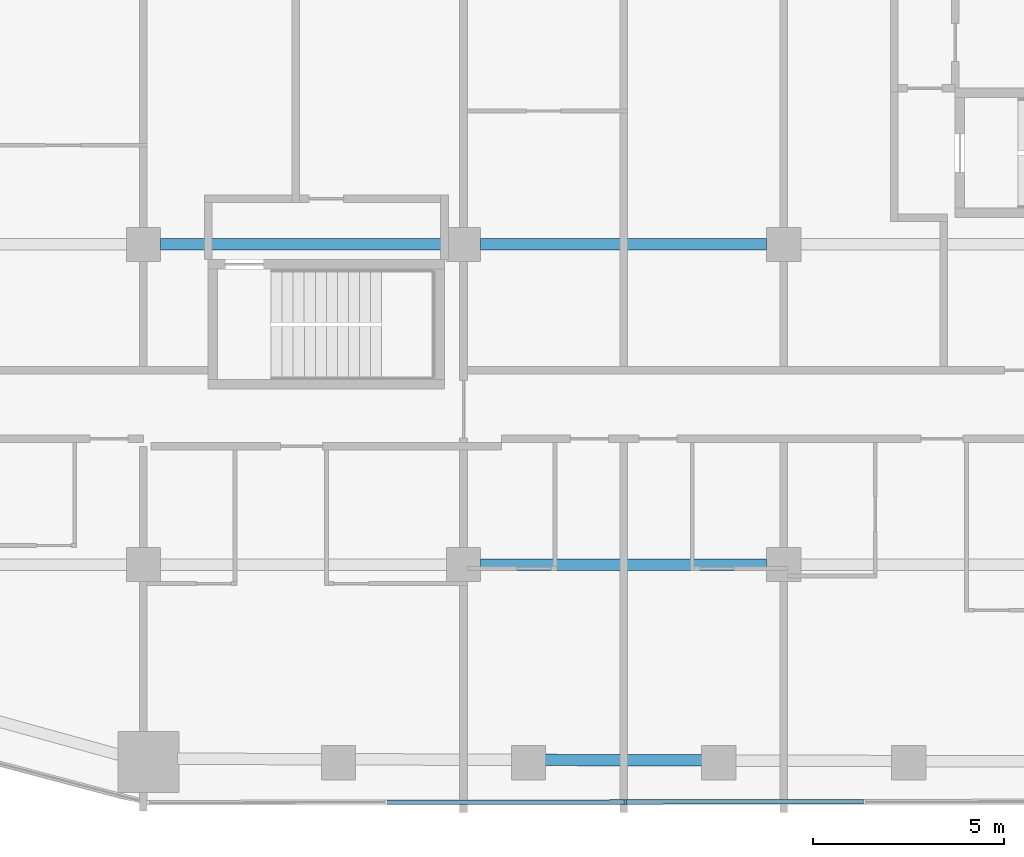
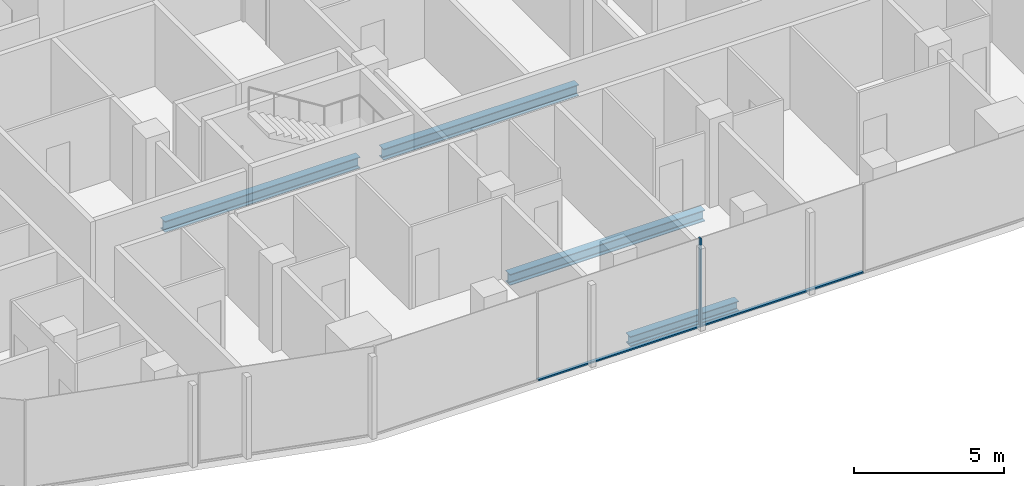
# One storey, part 3 of 23: 4 beams, 3 members, 1 element without a shape of its own.
"""IFC4 building model written with IfcOpenShell, lengths in metres."""

from ifc_helpers import new_model, si_unit, direction, frame, origin, origin_2d, place, context, subcontext, project, spatial, rectangle, i_section, extrude, material, layer, layer_set, material_profile, profile_set, type_object, element, aggregate, save


model = new_model("IFC4")

# Units and contexts
model_context = context("Model", 3, precision=1e-05, world=origin(), true_north=direction((0.0, 1.0)))
body_context = subcontext(model_context, "Body", "Model", "MODEL_VIEW")
ifc_project = project(units=[si_unit("LENGTHUNIT", "METRE"), si_unit("AREAUNIT", "SQUARE_METRE"), si_unit("VOLUMEUNIT", "CUBIC_METRE"), si_unit("PLANEANGLEUNIT", "RADIAN"), si_unit("MASSUNIT", "GRAM", prefix="KILO")], contexts=[model_context])

# Site, building, storey
site_placement = place(None, origin())
site = spatial("IfcSite", under=ifc_project, at=site_placement, CompositionType="ELEMENT")
building_placement = place(site_placement, origin())
building = spatial("IfcBuilding", under=site, at=building_placement, Name="Marenta Gate Hotel Tower", CompositionType="ELEMENT")
storey_placement = place(building_placement, frame((0.0, 0.0, 126.5)))
storey = spatial("IfcBuildingStorey", under=building, at=storey_placement, Name="L28", CompositionType="ELEMENT", Elevation=126.5)

# Beams
ifc_material_1 = material(Name="Steel S355", Category="steel")
ifc_material_profile_1 = material_profile(ifc_material_1, i_section(OverallWidth=0.300048828125, OverallDepth=0.39990234375, WebThickness=0.013427734375, FlangeThickness=0.02392578125, FilletRadius=0.027099609375, at=origin_2d()), Name="HEB 400")
ifc_profile_set_1 = profile_set([ifc_material_profile_1], Name="Steel S355")
beam_type_1 = type_object("IfcBeamType", Name="Edge beam HEB 400", PredefinedType="SPANDREL", material=ifc_profile_set_1)
beam_placement = place(storey_placement, frame((2.08349609375, -21.939453125, -0.4599609375), z_axis=(-0.999994808095, 0.003222387769, 0.0), x_axis=(-0.003222387769, -0.999994808095, 0.0)))
element("IfcBeam", 1, at=beam_placement, inside=storey, type_object=beam_type_1, Name="L28-EB-34", PredefinedType="SPANDREL", context=body_context, shape_type="SweptSolid", body=[
    extrude(i_section(OverallWidth=0.300048828125, OverallDepth=0.39990234375, WebThickness=0.013427734375, FlangeThickness=0.02392578125, FilletRadius=0.027099609375, at=origin_2d()), origin(), (0.0, 0.0, 1.0), 4.1669921875),
])
ifc_material_2 = material(Name="Steel S355", Category="steel")
ifc_material_profile_2 = material_profile(ifc_material_2, i_section(OverallWidth=0.300048828125, OverallDepth=0.449951171875, WebThickness=0.013916015625, FlangeThickness=0.02587890625, FilletRadius=0.027099609375, at=origin_2d()), Name="HEB 450")
ifc_profile_set_2 = profile_set([ifc_material_profile_2], Name="Steel S355")
beam_type_2 = type_object("IfcBeamType", Name="Girder HEB 450", PredefinedType="BEAM", material=ifc_profile_set_2)
for number, where, z_axis, x_axis, name in (
    (2, (-3.75, -16.800048828125, -0.485107421875), (1.0, 0.0, 0.0), (0.0, 1.0, 0.0), "L28-GD-4"),
    (3, (-12.14990234375, -8.39990234375, -0.485107421875), (1.0, 0.0, 0.0), (0.0, 1.0, 0.0), "L28-GD-10"),
    (4, (-3.75, -8.39990234375, -0.485107421875), (1.0, 0.0, 0.0), (0.0, 1.0, 0.0), "L28-GD-11"),
):
    element("IfcBeam", number, at=place(storey_placement, frame(where, z_axis=z_axis, x_axis=x_axis)), inside=storey, type_object=beam_type_2, Name=name, PredefinedType="BEAM", context=body_context, shape_type="SweptSolid", body=[
        extrude(i_section(OverallWidth=0.300048828125, OverallDepth=0.449951171875, WebThickness=0.013916015625, FlangeThickness=0.02587890625, FilletRadius=0.027099609375, at=origin_2d()), origin(), (0.0, 0.0, 1.0), 7.5),
    ])

# Curtain wall, members
ifc_material_3 = material(Name="Tinted insulated glass in bronze anodised frame", Category="glass")
ifc_layer = layer(ifc_material_3, 0.1201171875)
ifc_layer_set = layer_set([ifc_layer], Name="Tinted insulated glass in bronze anodised frame")
curtain_wall_type = type_object("IfcCurtainWallType", Name="Tower unitised curtain wall CW1", PredefinedType="NOTDEFINED", material=ifc_layer_set)
curtain_wall_placement = place(storey_placement, origin())
curtain_wall = element("IfcCurtainWall", 5, at=curtain_wall_placement, inside=storey, type_object=curtain_wall_type, Name="CW1 run G07", PredefinedType="NOTDEFINED")
ifc_material_4 = material(Name="Bronze anodised aluminium", Category="aluminium")
ifc_material_profile_3 = material_profile(ifc_material_4, rectangle(XDim=0.1201171875, YDim=0.06005859375, at=origin_2d()), Name="Mullion CW1 60x120 bronze anodised aluminium")
ifc_profile_set_3 = profile_set([ifc_material_profile_3], Name="Bronze anodised aluminium")
member_type_1 = type_object("IfcMemberType", Name="Mullion CW1 60x120 bronze anodised aluminium", PredefinedType="MULLION", material=ifc_profile_set_3)
member_1_placement = place(storey_placement, frame((0.0458984375, -23.030517578125, 0.0), z_axis=(0.0, 0.0, 1.0), x_axis=(-0.001362347707, 0.999999072004, 0.0)))
member_1 = element("IfcMember", 6, at=member_1_placement, type_object=member_type_1, Name="CW1 mullion 3", PredefinedType="MULLION", context=body_context, shape_type="SweptSolid", body=[
    extrude(rectangle(XDim=0.1201171875, YDim=0.06005859375, at=origin_2d()), origin(), (0.0, 0.0, 1.0), 3.60009765625),
])
ifc_material_5 = material(Name="Bronze anodised aluminium", Category="aluminium")
ifc_material_profile_4 = material_profile(ifc_material_5, rectangle(XDim=0.1201171875, YDim=0.06005859375, at=origin_2d()), Name="Transom CW1 60x120 bronze anodised aluminium")
ifc_profile_set_4 = profile_set([ifc_material_profile_4], Name="Bronze anodised aluminium")
member_type_2 = type_object("IfcMemberType", Name="Transom CW1 60x120 bronze anodised aluminium", PredefinedType="USERDEFINED", material=ifc_profile_set_4)
member_2_placement = place(storey_placement, frame((-6.199951171875, -23.038818359375, 0.030029296875), z_axis=(0.999999108317, 0.001335426932, 0.0), x_axis=(-0.001335426932, 0.999999108317, 0.0)))
member_2 = element("IfcMember", 7, at=member_2_placement, type_object=member_type_2, Name="CW1 transom 2.1", ObjectType="TRANSOM", PredefinedType="USERDEFINED", context=body_context, shape_type="SweptSolid", body=[
    extrude(rectangle(XDim=0.1201171875, YDim=0.06005859375, at=origin_2d()), origin(), (0.0, 0.0, 1.0), 6.2158203125),
])
member_3_placement = place(storey_placement, frame((0.075927734375, -23.0302734375, 0.030029296875), z_axis=(0.999999108387, 0.001335374482, 0.0), x_axis=(-0.001335374482, 0.999999108387, 0.0)))
member_3 = element("IfcMember", 8, at=member_3_placement, type_object=member_type_2, Name="CW1 transom 3.1", ObjectType="TRANSOM", PredefinedType="USERDEFINED", context=body_context, shape_type="SweptSolid", body=[
    extrude(rectangle(XDim=0.1201171875, YDim=0.06005859375, at=origin_2d()), origin(), (0.0, 0.0, 1.0), 6.216064453125),
])
aggregate(curtain_wall, [member_1, member_2, member_3])

save(model, "model.ifc")
